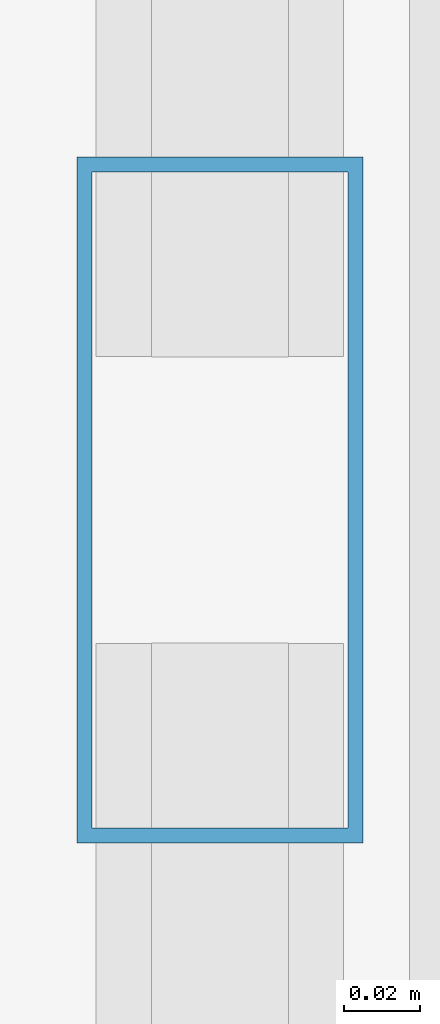
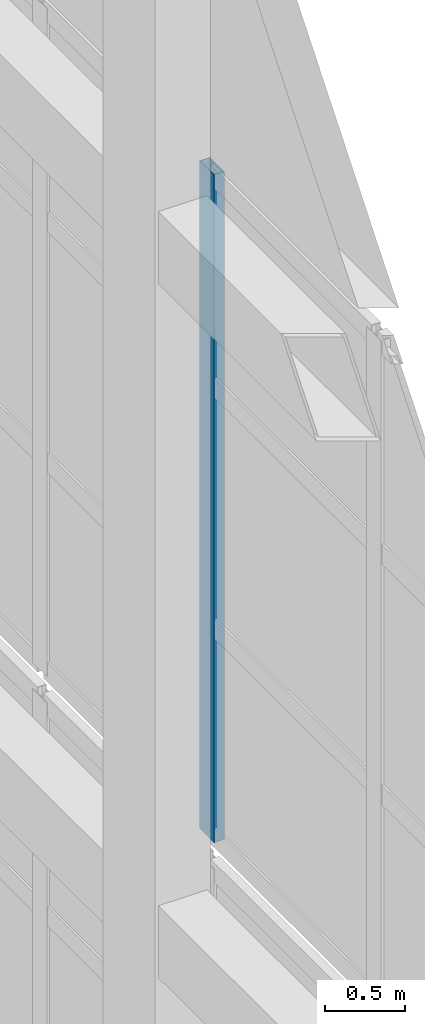
# One storey, part 33 of 47: 1 member, 1 element without a shape of its own.
"""IFC4 building model written with IfcOpenShell, lengths in metres."""

from ifc_helpers import new_model, si_unit, direction, frame, origin, origin_2d, place, context, subcontext, project, spatial, hollow_rectangle, extrude, material, layer, layer_set, material_profile, profile_set, type_object, element, aggregate, save


model = new_model("IFC4")

# Units and contexts
model_context = context("Model", 3, precision=1e-05, world=origin(), true_north=direction((0.0, 1.0)))
body_context = subcontext(model_context, "Body", "Model", "MODEL_VIEW")
ifc_project = project(units=[si_unit("LENGTHUNIT", "METRE"), si_unit("AREAUNIT", "SQUARE_METRE"), si_unit("VOLUMEUNIT", "CUBIC_METRE"), si_unit("PLANEANGLEUNIT", "RADIAN"), si_unit("MASSUNIT", "GRAM", prefix="KILO")], contexts=[model_context])

# Site, building, storey
site_placement = place(None, origin())
site = spatial("IfcSite", under=ifc_project, at=site_placement, CompositionType="ELEMENT")
building_placement = place(site_placement, origin())
building = spatial("IfcBuilding", under=site, at=building_placement, Name="Qiaolan Cultural Towers", CompositionType="ELEMENT")
storey_placement = place(building_placement, frame((0.0, 0.0, 280.199951171875)))
storey = spatial("IfcBuildingStorey", under=building, at=storey_placement, Name="RF", CompositionType="ELEMENT", Elevation=280.199951171875)

# Curtain wall, member
ifc_material_1 = material(Name="Unitized Anodized Aluminium Curtain Wall System", Category="aluminium")
ifc_layer = layer(ifc_material_1, 0.199951171875)
ifc_layer_set = layer_set([ifc_layer], Name="Unitized Anodized Aluminium Curtain Wall System")
curtain_wall_type = type_object("IfcCurtainWallType", Name="CWS-06", PredefinedType="NOTDEFINED", material=ifc_layer_set)
curtain_wall_placement = place(storey_placement, origin())
curtain_wall = element("IfcCurtainWall", 1, at=curtain_wall_placement, inside=storey, type_object=curtain_wall_type, Name="T1 Crown Tier 5 Fritted Screen Curtain Wall 3", PredefinedType="NOTDEFINED")
ifc_material_2 = material(Name="Extruded Aluminium 6063-T6", Category="aluminium")
ifc_material_profile = material_profile(ifc_material_2, hollow_rectangle(XDim=0.074951171875, YDim=0.179931640625, WallThickness=0.00390625, at=origin_2d()), Name="CWM-180x75x4")
ifc_profile_set = profile_set([ifc_material_profile], Name="Extruded Aluminium 6063-T6")
member_type = type_object("IfcMemberType", Name="CWS-06-MUL", PredefinedType="MULLION", material=ifc_profile_set)
member_placement = place(storey_placement, frame((45.050048828125, 34.0, 21.300048828125), z_axis=(0.0, 0.0, 1.0), x_axis=(-1.0, 0.0, 0.0)))
member = element("IfcMember", 2, at=member_placement, type_object=member_type, Name="CW-6 mullion 4", PredefinedType="MULLION", context=body_context, shape_type="SweptSolid", body=[
    extrude(hollow_rectangle(XDim=0.074951171875, YDim=0.179931640625, WallThickness=0.00390625, at=origin_2d()), origin(), (0.0, 0.0, 1.0), 5.10009765625),
])
aggregate(curtain_wall, [member])

save(model, "model.ifc")
